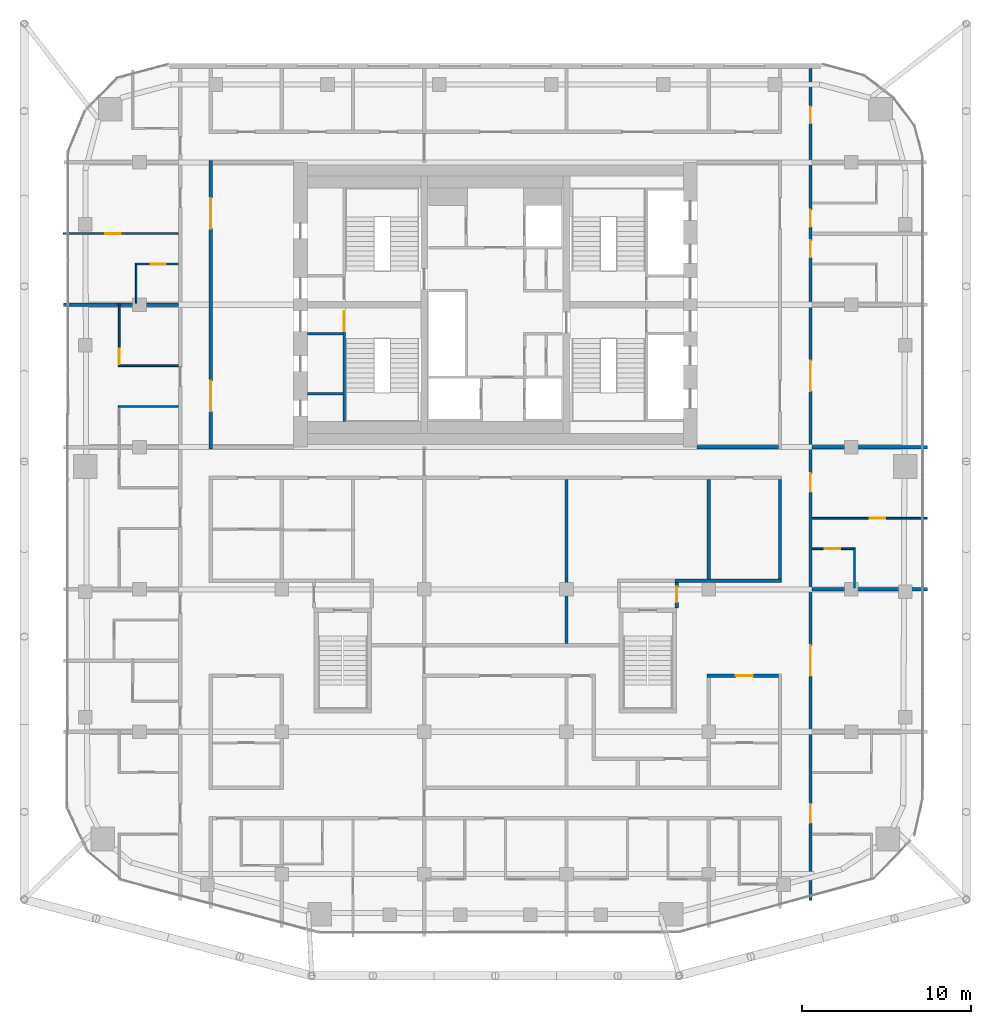
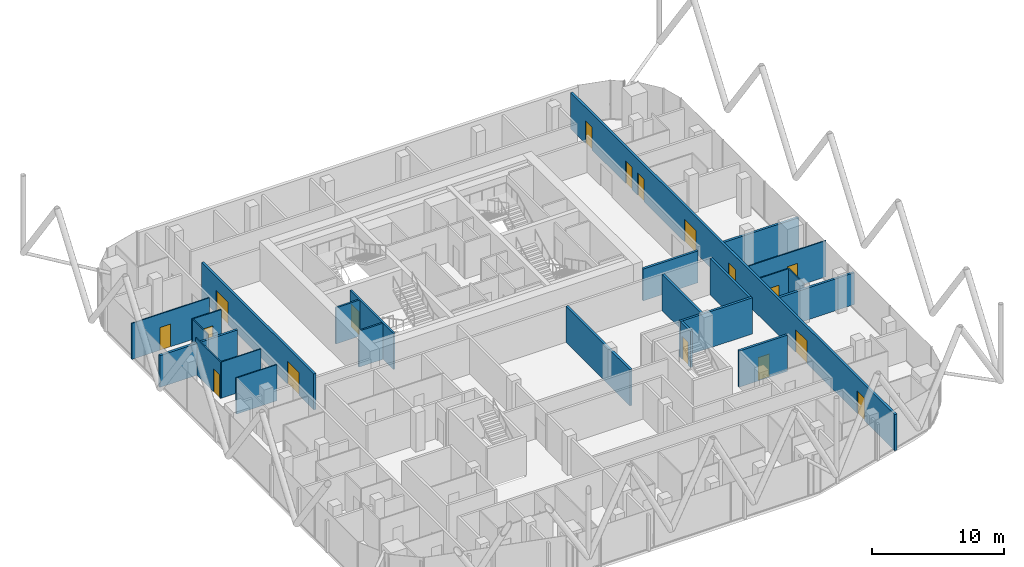
# One storey, part 23 of 28: 24 walls, 17 doors, 17 openings.
"""IFC4 building model written with IfcOpenShell, lengths in metres."""

from ifc_helpers import new_model, si_unit, direction, frame, frame_2d, origin, place, context, subcontext, project, spatial, rectangle, extrude, material, layer, layer_set, type_object, element, fill, save


model = new_model("IFC4")

# Units and contexts
model_context = context("Model", 3, precision=1e-05, world=origin(), true_north=direction((0.0, 1.0)))
body_context = subcontext(model_context, "Body", "Model", "MODEL_VIEW")
ifc_project = project(units=[si_unit("LENGTHUNIT", "METRE"), si_unit("AREAUNIT", "SQUARE_METRE"), si_unit("VOLUMEUNIT", "CUBIC_METRE"), si_unit("PLANEANGLEUNIT", "RADIAN"), si_unit("MASSUNIT", "GRAM", prefix="KILO")], contexts=[model_context])

# Site, building, storey
site_placement = place(None, origin())
site = spatial("IfcSite", under=ifc_project, at=site_placement, CompositionType="ELEMENT")
building_placement = place(site_placement, origin())
building = spatial("IfcBuilding", under=site, at=building_placement, Name="Marenta Gate Hotel Tower", CompositionType="ELEMENT")
storey_placement = place(building_placement, frame((0.0, 0.0, 198.5)))
storey = spatial("IfcBuildingStorey", under=building, at=storey_placement, Name="L45", CompositionType="ELEMENT", Elevation=198.5)

# Wall, openings, doors
ifc_material_1 = material(Name="Concrete blockwork", Category="masonry")
ifc_layer_1 = layer(ifc_material_1, 0.199951171875)
ifc_layer_set_1 = layer_set([ifc_layer_1], Name="Concrete blockwork")
wall_type_1 = type_object("IfcWallType", Name="Core boundary wall 200 REI 180", PredefinedType="PARTITIONING", material=ifc_layer_set_1)
wall_1_placement = place(storey_placement, frame((-16.800048828125, -0.10009765625, 0.0), z_axis=(0.0, 0.0, 1.0), x_axis=(0.0, 1.0, 0.0)))
wall_1 = element("IfcWall", 1, at=wall_1_placement, inside=storey, type_object=wall_type_1, Name="L45-CP-BW-W", PredefinedType="PARTITIONING", context=body_context, shape_type="SweptSolid", body=[
    extrude(rectangle(XDim=17.0, YDim=0.199951171875, at=frame_2d((8.5, 0.0))), origin(), (0.0, 0.0, 1.0), 3.340087890625),
])
opening_1_placement = place(wall_1_placement, frame((2.199951171875, 0.0, 0.0)))
opening_1 = element("IfcOpeningElement", 2, at=opening_1_placement, cuts=wall_1, Name="Opening ED-Wa-B", PredefinedType="OPENING", context=body_context, shape_type="SweptSolid", body=[
    extrude(rectangle(XDim=1.800048828125, YDim=2.10009765625, at=frame_2d((0.89990234375, 1.050048828125))), frame((0.0, 0.10009765625, 0.0), z_axis=(0.0, -1.0, 0.0), x_axis=(1.0, 0.0, 0.0)), (0.0, 0.0, 1.0), 0.199951171875),
])
opening_2_placement = place(wall_1_placement, frame((13.0, 0.0, 0.0)))
opening_2 = element("IfcOpeningElement", 3, at=opening_2_placement, cuts=wall_1, Name="Opening ED-Wb-B", PredefinedType="OPENING", context=body_context, shape_type="SweptSolid", body=[
    extrude(rectangle(XDim=1.800048828125, YDim=2.10009765625, at=frame_2d((0.89990234375, 1.050048828125))), frame((0.0, 0.10009765625, 0.0), z_axis=(0.0, -1.0, 0.0), x_axis=(1.0, 0.0, 0.0)), (0.0, 0.0, 1.0), 0.199951171875),
])
ifc_material_2 = material(Name="Steel", Category="steel")
door_type_1 = type_object("IfcDoorType", Name="Core lobby entrance door 1800x2100 EI 60", OperationType="DOUBLE_DOOR_SINGLE_SWING", PredefinedType="DOOR", material=ifc_material_2)
door_1_placement = place(opening_1_placement, origin())
door_1 = element("IfcDoor", 4, at=door_1_placement, inside=storey, type_object=door_type_1, Name="ED-Wa-B", OperationType="DOUBLE_DOOR_SINGLE_SWING", OverallHeight=2.10009765625, OverallWidth=1.800048828125, PredefinedType="DOOR", context=body_context, shape_type="SweptSolid", body=[
    extrude(rectangle(XDim=1.800048828125, YDim=2.10009765625, at=frame_2d((0.89990234375, 1.050048828125))), frame((0.0, 0.02490234375, 0.0), z_axis=(0.0, -1.0, 0.0), x_axis=(1.0, 0.0, 0.0)), (0.0, 0.0, 1.0), 0.050048828125),
])
fill(opening_1, door_1)
door_2_placement = place(opening_2_placement, origin())
door_2 = element("IfcDoor", 5, at=door_2_placement, inside=storey, type_object=door_type_1, Name="ED-Wb-B", OperationType="DOUBLE_DOOR_SINGLE_SWING", OverallHeight=2.10009765625, OverallWidth=1.800048828125, PredefinedType="DOOR", context=body_context, shape_type="SweptSolid", body=[
    extrude(rectangle(XDim=1.800048828125, YDim=2.10009765625, at=frame_2d((0.89990234375, 1.050048828125))), frame((0.0, 0.02490234375, 0.0), z_axis=(0.0, -1.0, 0.0), x_axis=(1.0, 0.0, 0.0)), (0.0, 0.0, 1.0), 0.050048828125),
])
fill(opening_2, door_2)

# Walls
wall_2_placement = place(storey_placement, frame((11.89990234375, 0.0, 0.0), z_axis=(0.0, 0.0, 1.0), x_axis=(1.0, 0.0, 0.0)))
element("IfcWall", 6, at=wall_2_placement, inside=storey, type_object=wall_type_1, Name="L45-CP-EW-ES", PredefinedType="PARTITIONING", context=body_context, shape_type="SweptSolid", body=[
    extrude(rectangle(XDim=4.800048828125, YDim=0.199951171875, at=frame_2d((2.39990234375, 0.0))), origin(), (0.0, 0.0, 1.0), 2.93994140625),
])
ifc_material_3 = material(Name="Concrete blockwork", Category="masonry")
ifc_layer_2 = layer(ifc_material_3, 0.14990234375)
ifc_layer_set_2 = layer_set([ifc_layer_2], Name="Concrete blockwork")
wall_type_2 = type_object("IfcWallType", Name="Core room partition 150 REI 180", PredefinedType="PARTITIONING", material=ifc_layer_set_2)
for number, where, z_axis, x_axis, name in (
    (7, (-11.10009765625, 6.675048828125, 0.0), (0.0, 0.0, 1.0), (1.0, 0.0, 0.0), "L45-CP-SW-WS-2"),
    (8, (-11.10009765625, 3.14990234375, 0.0), (0.0, 0.0, 1.0), (1.0, 0.0, 0.0), "L45-CP-RW-WS-1"),
):
    element("IfcWall", number, at=place(storey_placement, frame(where, z_axis=z_axis, x_axis=x_axis)), inside=storey, type_object=wall_type_2, Name=name, PredefinedType="PARTITIONING", context=body_context, shape_type="SweptSolid", body=[
        extrude(rectangle(XDim=2.10009765625, YDim=0.14990234375, at=frame_2d((1.050048828125, 0.0))), origin(), (0.0, 0.0, 1.0), 3.340087890625),
    ])

# Wall, opening, door
ifc_material_4 = material(Name="Concrete C40", Category="concrete")
ifc_layer_3 = layer(ifc_material_4, 0.14990234375)
ifc_layer_set_3 = layer_set([ifc_layer_3], Name="Concrete C40")
wall_type_3 = type_object("IfcWallType", Name="Core stair enclosure wall 150 REI 180", PredefinedType="SHEAR", material=ifc_layer_set_3)
wall_3_placement = place(storey_placement, frame((-8.925048828125, 1.5, 0.0), z_axis=(0.0, 0.0, 1.0), x_axis=(0.0, 1.0, 0.0)))
wall_3 = element("IfcWall", 9, at=wall_3_placement, inside=storey, type_object=wall_type_3, Name="L45-SHF-SW-WS-3", PredefinedType="SHEAR", context=body_context, shape_type="SweptSolid", body=[
    extrude(rectangle(XDim=6.60009765625, YDim=0.14990234375, at=frame_2d((3.300048828125, 0.0))), origin(), (0.0, 0.0, 1.0), 3.340087890625),
])
opening_3_placement = place(wall_3_placement, frame((5.324951171875, 0.0, 0.0)))
opening_3 = element("IfcOpeningElement", 10, at=opening_3_placement, cuts=wall_3, Name="Opening SD-WS", PredefinedType="OPENING", context=body_context, shape_type="SweptSolid", body=[
    extrude(rectangle(XDim=1.199951171875, YDim=2.10009765625, at=frame_2d((0.60009765625, 1.050048828125))), frame((0.0, 0.074951171875, 0.0), z_axis=(0.0, -1.0, 0.0), x_axis=(1.0, 0.0, 0.0)), (0.0, 0.0, 1.0), 0.14990234375),
])
ifc_material_5 = material(Name="Steel", Category="steel")
door_type_2 = type_object("IfcDoorType", Name="Core stair door 1200x2100 FD60", OperationType="SINGLE_SWING_LEFT", PredefinedType="DOOR", material=ifc_material_5)
door_3_placement = place(opening_3_placement, origin())
door_3 = element("IfcDoor", 11, at=door_3_placement, inside=storey, type_object=door_type_2, Name="SD-WS", OperationType="SINGLE_SWING_LEFT", OverallHeight=2.10009765625, OverallWidth=1.199951171875, PredefinedType="DOOR", context=body_context, shape_type="SweptSolid", body=[
    extrude(rectangle(XDim=1.199951171875, YDim=2.10009765625, at=frame_2d((0.60009765625, 1.050048828125))), frame((0.0, 0.02490234375, 0.0), z_axis=(0.0, -1.0, 0.0), x_axis=(1.0, 0.0, 0.0)), (0.0, 0.0, 1.0), 0.050048828125),
])
fill(opening_3, door_3)

ifc_material_6 = material(Name="Concrete blockwork", Category="masonry")
ifc_layer_4 = layer(ifc_material_6, 0.199951171875)
ifc_layer_set_4 = layer_set([ifc_layer_4], Name="Concrete blockwork")
wall_type_4 = type_object("IfcWallType", Name="Room corridor wall 200 EI 120", PredefinedType="PARTITIONING", material=ifc_layer_set_4)
wall_4_placement = place(storey_placement, frame((12.5, -13.5, 0.0), z_axis=(0.0, 0.0, 1.0), x_axis=(1.0, 0.0, 0.0)))
wall_4 = element("IfcWall", 12, at=wall_4_placement, inside=storey, type_object=wall_type_4, Name="L45-PTN-W033", PredefinedType="PARTITIONING", context=body_context, shape_type="SweptSolid", body=[
    extrude(rectangle(XDim=4.199951171875, YDim=0.199951171875, at=frame_2d((2.10009765625, 0.0))), origin(), (0.0, 0.0, 1.0), 3.340087890625),
])
opening_4_placement = place(wall_4_placement, frame((1.699951171875, 0.0, 0.0)))
opening_4 = element("IfcOpeningElement", 13, at=opening_4_placement, cuts=wall_4, Name="Opening G16-14", PredefinedType="OPENING", context=body_context, shape_type="SweptSolid", body=[
    extrude(rectangle(XDim=1.0, YDim=2.10009765625, at=frame_2d((0.5, 1.050048828125))), frame((0.0, 0.10009765625, 0.0), z_axis=(0.0, -1.0, 0.0), x_axis=(1.0, 0.0, 0.0)), (0.0, 0.0, 1.0), 0.199951171875),
])
ifc_material_7 = material(Name="Hollow steel door set", Category="steel")
door_type_3 = type_object("IfcDoorType", Name="Room service door 1000x2100 EI 60", OperationType="NOTDEFINED", PredefinedType="DOOR", material=ifc_material_7)
door_4_placement = place(opening_4_placement, origin())
door_4 = element("IfcDoor", 14, at=door_4_placement, inside=storey, type_object=door_type_3, Name="L45-PD-D014", OperationType="SINGLE_SWING_RIGHT", OverallHeight=2.10009765625, OverallWidth=1.0, PredefinedType="DOOR", context=body_context, shape_type="SweptSolid", body=[
    extrude(rectangle(XDim=1.0, YDim=2.10009765625, at=frame_2d((0.5, 1.050048828125))), frame((0.0, 0.02490234375, 0.0), z_axis=(0.0, -1.0, 0.0), x_axis=(1.0, 0.0, 0.0)), (0.0, 0.0, 1.0), 0.050048828125),
])
fill(opening_4, door_4)

# Wall, openings, doors
ifc_material_8 = material(Name="Gypsum board on steel stud", Category="steel")
ifc_layer_5 = layer(ifc_material_8, 0.199951171875)
ifc_layer_set_5 = layer_set([ifc_layer_5], Name="Gypsum board on steel stud")
wall_type_5 = type_object("IfcWallType", Name="Room corridor wall 200 EI 60", PredefinedType="PARTITIONING", material=ifc_layer_set_5)
wall_5_placement = place(storey_placement, frame((18.60009765625, -26.7509765625, 0.0), z_axis=(0.0, 0.0, 1.0), x_axis=(0.0, 1.0, 0.0)))
wall_5 = element("IfcWall", 15, at=wall_5_placement, inside=storey, type_object=wall_type_5, Name="L45-PTN-W019", PredefinedType="PARTITIONING", context=body_context, shape_type="SweptSolid", body=[
    extrude(rectangle(XDim=49.091064453125, YDim=0.199951171875, at=frame_2d((24.54541015625, 0.0))), origin(), (0.0, 0.0, 1.0), 3.340087890625),
])
opening_5_placement = place(wall_5_placement, frame((4.575927734375, 0.0, 0.0)))
opening_5 = element("IfcOpeningElement", 16, at=opening_5_placement, cuts=wall_5, Name="Opening G16-16", PredefinedType="OPENING", context=body_context, shape_type="SweptSolid", body=[
    extrude(rectangle(XDim=1.10009765625, YDim=2.10009765625, at=frame_2d((0.550048828125, 1.050048828125))), frame((0.0, 0.10009765625, 0.0), z_axis=(0.0, -1.0, 0.0), x_axis=(1.0, 0.0, 0.0)), (0.0, 0.0, 1.0), 0.199951171875),
])
opening_6_placement = place(wall_5_placement, frame((13.2509765625, 0.0, 0.0)))
opening_6 = element("IfcOpeningElement", 17, at=opening_6_placement, cuts=wall_5, Name="Opening G16-19", PredefinedType="OPENING", context=body_context, shape_type="SweptSolid", body=[
    extrude(rectangle(XDim=1.800048828125, YDim=2.10009765625, at=frame_2d((0.89990234375, 1.050048828125))), frame((0.0, 0.10009765625, 0.0), z_axis=(0.0, -1.0, 0.0), x_axis=(1.0, 0.0, 0.0)), (0.0, 0.0, 1.0), 0.199951171875),
])
opening_7_placement = place(wall_5_placement, frame((24.10107421875, 0.0, 0.0)))
opening_7 = element("IfcOpeningElement", 18, at=opening_7_placement, cuts=wall_5, Name="Opening G16-20", PredefinedType="OPENING", context=body_context, shape_type="SweptSolid", body=[
    extrude(rectangle(XDim=1.10009765625, YDim=2.10009765625, at=frame_2d((0.550048828125, 1.050048828125))), frame((0.0, 0.10009765625, 0.0), z_axis=(0.0, -1.0, 0.0), x_axis=(1.0, 0.0, 0.0)), (0.0, 0.0, 1.0), 0.199951171875),
])
opening_8_placement = place(wall_5_placement, frame((30.051025390625, 0.0, 0.0)))
opening_8 = element("IfcOpeningElement", 19, at=opening_8_placement, cuts=wall_5, Name="Opening G16-23", PredefinedType="OPENING", context=body_context, shape_type="SweptSolid", body=[
    extrude(rectangle(XDim=1.800048828125, YDim=2.10009765625, at=frame_2d((0.89990234375, 1.050048828125))), frame((0.0, 0.10009765625, 0.0), z_axis=(0.0, -1.0, 0.0), x_axis=(1.0, 0.0, 0.0)), (0.0, 0.0, 1.0), 0.199951171875),
])
opening_9_placement = place(wall_5_placement, frame((37.950927734375, 0.0, 0.0)))
opening_9 = element("IfcOpeningElement", 20, at=opening_9_placement, cuts=wall_5, Name="Opening G16-24", PredefinedType="OPENING", context=body_context, shape_type="SweptSolid", body=[
    extrude(rectangle(XDim=1.0, YDim=2.10009765625, at=frame_2d((0.5, 1.050048828125))), frame((0.0, 0.10009765625, 0.0), z_axis=(0.0, -1.0, 0.0), x_axis=(1.0, 0.0, 0.0)), (0.0, 0.0, 1.0), 0.199951171875),
])
opening_10_placement = place(wall_5_placement, frame((39.7509765625, 0.0, 0.0)))
opening_10 = element("IfcOpeningElement", 21, at=opening_10_placement, cuts=wall_5, Name="Opening G16-26", PredefinedType="OPENING", context=body_context, shape_type="SweptSolid", body=[
    extrude(rectangle(XDim=1.0, YDim=2.10009765625, at=frame_2d((0.5, 1.050048828125))), frame((0.0, 0.10009765625, 0.0), z_axis=(0.0, -1.0, 0.0), x_axis=(1.0, 0.0, 0.0)), (0.0, 0.0, 1.0), 0.199951171875),
])
opening_11_placement = place(wall_5_placement, frame((45.85107421875, 0.0, 0.0)))
opening_11 = element("IfcOpeningElement", 22, at=opening_11_placement, cuts=wall_5, Name="Opening G16-28", PredefinedType="OPENING", context=body_context, shape_type="SweptSolid", body=[
    extrude(rectangle(XDim=1.0, YDim=2.10009765625, at=frame_2d((0.5, 1.050048828125))), frame((0.0, 0.10009765625, 0.0), z_axis=(0.0, -1.0, 0.0), x_axis=(1.0, 0.0, 0.0)), (0.0, 0.0, 1.0), 0.199951171875),
])
ifc_material_9 = material(Name="Timber door leaf", Category="wood")
door_type_4 = type_object("IfcDoorType", Name="Guest room door 1000x2100 EI 30", OperationType="NOTDEFINED", PredefinedType="DOOR", material=ifc_material_9)
door_5_placement = place(opening_9_placement, origin())
door_5 = element("IfcDoor", 23, at=door_5_placement, inside=storey, type_object=door_type_4, Name="L45-PD-D024", OperationType="SINGLE_SWING_RIGHT", OverallHeight=2.10009765625, OverallWidth=1.0, PredefinedType="DOOR", context=body_context, shape_type="SweptSolid", body=[
    extrude(rectangle(XDim=1.0, YDim=2.10009765625, at=frame_2d((0.5, 1.050048828125))), frame((0.0, 0.02490234375, 0.0), z_axis=(0.0, -1.0, 0.0), x_axis=(1.0, 0.0, 0.0)), (0.0, 0.0, 1.0), 0.050048828125),
])
fill(opening_9, door_5)
door_6_placement = place(opening_10_placement, origin())
door_6 = element("IfcDoor", 24, at=door_6_placement, inside=storey, type_object=door_type_4, Name="L45-PD-D026", OperationType="SINGLE_SWING_RIGHT", OverallHeight=2.10009765625, OverallWidth=1.0, PredefinedType="DOOR", context=body_context, shape_type="SweptSolid", body=[
    extrude(rectangle(XDim=1.0, YDim=2.10009765625, at=frame_2d((0.5, 1.050048828125))), frame((0.0, 0.02490234375, 0.0), z_axis=(0.0, -1.0, 0.0), x_axis=(1.0, 0.0, 0.0)), (0.0, 0.0, 1.0), 0.050048828125),
])
fill(opening_10, door_6)
ifc_material_10 = material(Name="Timber door leaf", Category="wood")
door_type_5 = type_object("IfcDoorType", Name="Guest room door 1100x2100 EI 30", OperationType="NOTDEFINED", PredefinedType="DOOR", material=ifc_material_10)
door_7_placement = place(opening_5_placement, origin())
door_7 = element("IfcDoor", 25, at=door_7_placement, inside=storey, type_object=door_type_5, Name="L45-PD-D016", OperationType="SINGLE_SWING_RIGHT", OverallHeight=2.10009765625, OverallWidth=1.10009765625, PredefinedType="DOOR", context=body_context, shape_type="SweptSolid", body=[
    extrude(rectangle(XDim=1.10009765625, YDim=2.10009765625, at=frame_2d((0.550048828125, 1.050048828125))), frame((0.0, 0.02490234375, 0.0), z_axis=(0.0, -1.0, 0.0), x_axis=(1.0, 0.0, 0.0)), (0.0, 0.0, 1.0), 0.050048828125),
])
fill(opening_5, door_7)
door_8_placement = place(opening_7_placement, origin())
door_8 = element("IfcDoor", 26, at=door_8_placement, inside=storey, type_object=door_type_5, Name="L45-PD-D020", OperationType="SINGLE_SWING_RIGHT", OverallHeight=2.10009765625, OverallWidth=1.10009765625, PredefinedType="DOOR", context=body_context, shape_type="SweptSolid", body=[
    extrude(rectangle(XDim=1.10009765625, YDim=2.10009765625, at=frame_2d((0.550048828125, 1.050048828125))), frame((0.0, 0.02490234375, 0.0), z_axis=(0.0, -1.0, 0.0), x_axis=(1.0, 0.0, 0.0)), (0.0, 0.0, 1.0), 0.050048828125),
])
fill(opening_7, door_8)
ifc_material_11 = material(Name="Timber door leaf", Category="wood")
door_type_6 = type_object("IfcDoorType", Name="Room amenity door 1000x2100 EI 30", OperationType="NOTDEFINED", PredefinedType="DOOR", material=ifc_material_11)
door_9_placement = place(opening_11_placement, origin())
door_9 = element("IfcDoor", 27, at=door_9_placement, inside=storey, type_object=door_type_6, Name="L45-PD-D028", OperationType="SINGLE_SWING_LEFT", OverallHeight=2.10009765625, OverallWidth=1.0, PredefinedType="DOOR", context=body_context, shape_type="SweptSolid", body=[
    extrude(rectangle(XDim=1.0, YDim=2.10009765625, at=frame_2d((0.5, 1.050048828125))), frame((0.0, 0.02490234375, 0.0), z_axis=(0.0, -1.0, 0.0), x_axis=(1.0, 0.0, 0.0)), (0.0, 0.0, 1.0), 0.050048828125),
])
fill(opening_11, door_9)
ifc_material_12 = material(Name="Timber door leaf", Category="wood")
door_type_7 = type_object("IfcDoorType", Name="Room amenity door 1800x2100 EI 30", OperationType="DOUBLE_DOOR_SINGLE_SWING", PredefinedType="DOOR", material=ifc_material_12)
door_10_placement = place(opening_6_placement, origin())
door_10 = element("IfcDoor", 28, at=door_10_placement, inside=storey, type_object=door_type_7, Name="L45-PD-D019", OperationType="DOUBLE_DOOR_SINGLE_SWING", OverallHeight=2.10009765625, OverallWidth=1.800048828125, PredefinedType="DOOR", context=body_context, shape_type="SweptSolid", body=[
    extrude(rectangle(XDim=1.800048828125, YDim=2.10009765625, at=frame_2d((0.89990234375, 1.050048828125))), frame((0.0, 0.02490234375, 0.0), z_axis=(0.0, -1.0, 0.0), x_axis=(1.0, 0.0, 0.0)), (0.0, 0.0, 1.0), 0.050048828125),
])
fill(opening_6, door_10)
door_11_placement = place(opening_8_placement, origin())
door_11 = element("IfcDoor", 29, at=door_11_placement, inside=storey, type_object=door_type_7, Name="L45-PD-D023", OperationType="DOUBLE_DOOR_SINGLE_SWING", OverallHeight=2.10009765625, OverallWidth=1.800048828125, PredefinedType="DOOR", context=body_context, shape_type="SweptSolid", body=[
    extrude(rectangle(XDim=1.800048828125, YDim=2.10009765625, at=frame_2d((0.89990234375, 1.050048828125))), frame((0.0, 0.02490234375, 0.0), z_axis=(0.0, -1.0, 0.0), x_axis=(1.0, 0.0, 0.0)), (0.0, 0.0, 1.0), 0.050048828125),
])
fill(opening_8, door_11)

# Walls
wall_6_placement = place(storey_placement, frame((16.800048828125, -7.800048828125, 0.0), z_axis=(0.0, 0.0, 1.0), x_axis=(0.0, 1.0, 0.0)))
element("IfcWall", 30, at=wall_6_placement, inside=storey, type_object=wall_type_5, Name="L45-PTN-W025", PredefinedType="PARTITIONING", context=body_context, shape_type="SweptSolid", body=[
    extrude(rectangle(XDim=5.900146484375, YDim=0.199951171875, at=frame_2d((2.9501953125, 0.0))), origin(), (0.0, 0.0, 1.0), 3.340087890625),
])
wall_7_placement = place(storey_placement, frame((10.60009765625, -7.89990234375, 0.0), z_axis=(0.0, 0.0, 1.0), x_axis=(1.0, 0.0, 0.0)))
element("IfcWall", 31, at=wall_7_placement, inside=storey, type_object=wall_type_5, Name="L45-PTN-W048", PredefinedType="PARTITIONING", context=body_context, shape_type="SweptSolid", body=[
    extrude(rectangle(XDim=6.2998046875, YDim=0.199951171875, at=frame_2d((3.14990234375, 0.0))), origin(), (0.0, 0.0, 1.0), 3.340087890625),
])

# Wall, opening, door
ifc_material_13 = material(Name="Concrete blockwork", Category="masonry")
ifc_layer_6 = layer(ifc_material_13, 0.199951171875)
ifc_layer_set_6 = layer_set([ifc_layer_6], Name="Concrete blockwork")
wall_type_6 = type_object("IfcWallType", Name="Room corridor wall 200 REI 180", PredefinedType="PARTITIONING", material=ifc_layer_set_6)
wall_8_placement = place(storey_placement, frame((10.699951171875, -9.5, 0.0), z_axis=(0.0, 0.0, 1.0), x_axis=(0.0, 1.0, 0.0)))
wall_8 = element("IfcWall", 32, at=wall_8_placement, inside=storey, type_object=wall_type_6, Name="L45-PTN-W041", PredefinedType="PARTITIONING", context=body_context, shape_type="SweptSolid", body=[
    extrude(rectangle(XDim=1.5, YDim=0.199951171875, at=frame_2d((0.75, 0.0))), origin(), (0.0, 0.0, 1.0), 3.340087890625),
])
opening_12_placement = place(wall_8_placement, frame((0.35009765625, 0.0, 0.0)))
opening_12 = element("IfcOpeningElement", 33, at=opening_12_placement, cuts=wall_8, Name="Opening G16-65", PredefinedType="OPENING", context=body_context, shape_type="SweptSolid", body=[
    extrude(rectangle(XDim=0.89990234375, YDim=2.10009765625, at=frame_2d((0.449951171875, 1.050048828125))), frame((0.0, 0.10009765625, 0.0), z_axis=(0.0, -1.0, 0.0), x_axis=(1.0, 0.0, 0.0)), (0.0, 0.0, 1.0), 0.199951171875),
])
ifc_material_14 = material(Name="Hollow steel door set", Category="steel")
door_type_8 = type_object("IfcDoorType", Name="Stair vestibule door 900x2100 EI 60", OperationType="NOTDEFINED", PredefinedType="DOOR", material=ifc_material_14)
door_12_placement = place(opening_12_placement, origin())
door_12 = element("IfcDoor", 34, at=door_12_placement, inside=storey, type_object=door_type_8, Name="L45-PD-D065", OperationType="SINGLE_SWING_RIGHT", OverallHeight=2.10009765625, OverallWidth=0.89990234375, PredefinedType="DOOR", context=body_context, shape_type="SweptSolid", body=[
    extrude(rectangle(XDim=0.89990234375, YDim=2.10009765625, at=frame_2d((0.449951171875, 1.050048828125))), frame((0.0, 0.02490234375, 0.0), z_axis=(0.0, -1.0, 0.0), x_axis=(1.0, 0.0, 0.0)), (0.0, 0.0, 1.0), 0.050048828125),
])
fill(opening_12, door_12)

# Wall
ifc_material_15 = material(Name="Gypsum board on steel stud", Category="steel")
ifc_layer_7 = layer(ifc_material_15, 0.10009765625)
ifc_layer_set_7 = layer_set([ifc_layer_7], Name="Gypsum board on steel stud")
wall_type_7 = type_object("IfcWallType", Name="Room partition 100", PredefinedType="PARTITIONING", material=ifc_layer_set_7)
wall_9_placement = place(storey_placement, frame((21.199951171875, -8.300048828125, 0.0), z_axis=(0.0, 0.0, 1.0), x_axis=(0.0, 1.0, 0.0)))
element("IfcWall", 35, at=wall_9_placement, inside=storey, type_object=wall_type_7, Name="L45-PTN-W014", PredefinedType="PARTITIONING", context=body_context, shape_type="SweptSolid", body=[
    extrude(rectangle(XDim=2.35009765625, YDim=0.10009765625, at=frame_2d((1.175048828125, 0.0))), origin(), (0.0, 0.0, 1.0), 3.340087890625),
])

# Wall, opening, door
wall_10_placement = place(storey_placement, frame((18.699951171875, -6.0, 0.0), z_axis=(0.0, 0.0, 1.0), x_axis=(1.0, 0.0, 0.0)))
wall_10 = element("IfcWall", 36, at=wall_10_placement, inside=storey, type_object=wall_type_7, Name="L45-PTN-W053", PredefinedType="PARTITIONING", context=body_context, shape_type="SweptSolid", body=[
    extrude(rectangle(XDim=2.449951171875, YDim=0.10009765625, at=frame_2d((1.22509765625, 0.0))), origin(), (0.0, 0.0, 1.0), 3.340087890625),
])
opening_13_placement = place(wall_10_placement, frame((0.75, 0.0, 0.0)))
opening_13 = element("IfcOpeningElement", 37, at=opening_13_placement, cuts=wall_10, Name="Opening G16-22", PredefinedType="OPENING", context=body_context, shape_type="SweptSolid", body=[
    extrude(rectangle(XDim=0.89990234375, YDim=2.10009765625, at=frame_2d((0.449951171875, 1.050048828125))), frame((0.0, 0.050048828125, 0.0), z_axis=(0.0, -1.0, 0.0), x_axis=(1.0, 0.0, 0.0)), (0.0, 0.0, 1.0), 0.10009765625),
])
ifc_material_16 = material(Name="Timber door leaf", Category="wood")
door_type_9 = type_object("IfcDoorType", Name="Guest bathroom door 900x2100", OperationType="NOTDEFINED", PredefinedType="DOOR", material=ifc_material_16)
door_13_placement = place(opening_13_placement, origin())
door_13 = element("IfcDoor", 38, at=door_13_placement, inside=storey, type_object=door_type_9, Name="L45-PD-D022", OperationType="SINGLE_SWING_RIGHT", OverallHeight=2.10009765625, OverallWidth=0.89990234375, PredefinedType="DOOR", context=body_context, shape_type="SweptSolid", body=[
    extrude(rectangle(XDim=0.89990234375, YDim=2.10009765625, at=frame_2d((0.449951171875, 1.050048828125))), frame((0.0, 0.02490234375, 0.0), z_axis=(0.0, -1.0, 0.0), x_axis=(1.0, 0.0, 0.0)), (0.0, 0.0, 1.0), 0.050048828125),
])
fill(opening_13, door_13)

wall_11_placement = place(storey_placement, frame((18.699951171875, -4.199951171875, 0.0), z_axis=(0.0, 0.0, 1.0), x_axis=(1.0, 0.0, 0.0)))
wall_11 = element("IfcWall", 39, at=wall_11_placement, inside=storey, type_object=wall_type_7, Name="L45-PTN-W062", PredefinedType="PARTITIONING", context=body_context, shape_type="SweptSolid", body=[
    extrude(rectangle(XDim=6.800048828125, YDim=0.10009765625, at=frame_2d((3.39990234375, 0.0))), origin(), (0.0, 0.0, 1.0), 3.340087890625),
])
opening_14_placement = place(wall_11_placement, frame((3.409912109375, 0.0, 0.0)))
opening_14 = element("IfcOpeningElement", 40, at=opening_14_placement, cuts=wall_11, Name="Opening G16-21", PredefinedType="OPENING", context=body_context, shape_type="SweptSolid", body=[
    extrude(rectangle(XDim=0.89990234375, YDim=2.10009765625, at=frame_2d((0.449951171875, 1.050048828125))), frame((0.0, 0.050048828125, 0.0), z_axis=(0.0, -1.0, 0.0), x_axis=(1.0, 0.0, 0.0)), (0.0, 0.0, 1.0), 0.10009765625),
])
ifc_material_17 = material(Name="Timber door leaf", Category="wood")
door_type_10 = type_object("IfcDoorType", Name="Room inner door 900x2100", OperationType="NOTDEFINED", PredefinedType="DOOR", material=ifc_material_17)
door_14_placement = place(opening_14_placement, origin())
door_14 = element("IfcDoor", 41, at=door_14_placement, inside=storey, type_object=door_type_10, Name="L45-PD-D021", OperationType="SINGLE_SWING_RIGHT", OverallHeight=2.10009765625, OverallWidth=0.89990234375, PredefinedType="DOOR", context=body_context, shape_type="SweptSolid", body=[
    extrude(rectangle(XDim=0.89990234375, YDim=2.10009765625, at=frame_2d((0.449951171875, 1.050048828125))), frame((0.0, 0.02490234375, 0.0), z_axis=(0.0, -1.0, 0.0), x_axis=(1.0, 0.0, 0.0)), (0.0, 0.0, 1.0), 0.050048828125),
])
fill(opening_14, door_14)

# Walls
wall_12_placement = place(storey_placement, frame((-22.25, 2.39990234375, 0.0), z_axis=(0.0, 0.0, 1.0), x_axis=(1.0, 0.0, 0.0)))
element("IfcWall", 42, at=wall_12_placement, inside=storey, type_object=wall_type_7, Name="L45-PTN-W069", PredefinedType="PARTITIONING", context=body_context, shape_type="SweptSolid", body=[
    extrude(rectangle(XDim=3.550048828125, YDim=0.10009765625, at=frame_2d((1.77490234375, 0.0))), origin(), (0.0, 0.0, 1.0), 3.340087890625),
])
wall_13_placement = place(storey_placement, frame((-22.14990234375, 4.800048828125, 0.0), z_axis=(0.0, 0.0, 1.0), x_axis=(1.0, 0.0, 0.0)))
element("IfcWall", 43, at=wall_13_placement, inside=storey, type_object=wall_type_7, Name="L45-PTN-W074", PredefinedType="PARTITIONING", context=body_context, shape_type="SweptSolid", body=[
    extrude(rectangle(XDim=3.449951171875, YDim=0.10009765625, at=frame_2d((1.72509765625, 0.0))), origin(), (0.0, 0.0, 1.0), 3.340087890625),
])

# Wall, opening, door
wall_14_placement = place(storey_placement, frame((-21.25, 10.800048828125, 0.0), z_axis=(0.0, 0.0, 1.0), x_axis=(1.0, 0.0, 0.0)))
wall_14 = element("IfcWall", 44, at=wall_14_placement, inside=storey, type_object=wall_type_7, Name="L45-PTN-W083", PredefinedType="PARTITIONING", context=body_context, shape_type="SweptSolid", body=[
    extrude(rectangle(XDim=2.550048828125, YDim=0.10009765625, at=frame_2d((1.27490234375, 0.0))), origin(), (0.0, 0.0, 1.0), 3.340087890625),
])
opening_15_placement = place(wall_14_placement, frame((0.89990234375, 0.0, 0.0)))
opening_15 = element("IfcOpeningElement", 45, at=opening_15_placement, cuts=wall_14, Name="Opening G16-61", PredefinedType="OPENING", context=body_context, shape_type="SweptSolid", body=[
    extrude(rectangle(XDim=0.89990234375, YDim=2.10009765625, at=frame_2d((0.449951171875, 1.050048828125))), frame((0.0, 0.050048828125, 0.0), z_axis=(0.0, -1.0, 0.0), x_axis=(1.0, 0.0, 0.0)), (0.0, 0.0, 1.0), 0.10009765625),
])
door_15_placement = place(opening_15_placement, origin())
door_15 = element("IfcDoor", 46, at=door_15_placement, inside=storey, type_object=door_type_9, Name="L45-PD-D061", OperationType="SINGLE_SWING_LEFT", OverallHeight=2.10009765625, OverallWidth=0.89990234375, PredefinedType="DOOR", context=body_context, shape_type="SweptSolid", body=[
    extrude(rectangle(XDim=0.89990234375, YDim=2.10009765625, at=frame_2d((0.449951171875, 1.050048828125))), frame((0.0, 0.02490234375, 0.0), z_axis=(0.0, -1.0, 0.0), x_axis=(1.0, 0.0, 0.0)), (0.0, 0.0, 1.0), 0.050048828125),
])
fill(opening_15, door_15)

wall_15_placement = place(storey_placement, frame((-25.5, 12.60009765625, 0.0), z_axis=(0.0, 0.0, 1.0), x_axis=(1.0, 0.0, 0.0)))
wall_15 = element("IfcWall", 47, at=wall_15_placement, inside=storey, type_object=wall_type_7, Name="L45-PTN-W089", PredefinedType="PARTITIONING", context=body_context, shape_type="SweptSolid", body=[
    extrude(rectangle(XDim=6.800048828125, YDim=0.10009765625, at=frame_2d((3.39990234375, 0.0))), origin(), (0.0, 0.0, 1.0), 3.340087890625),
])
opening_16_placement = place(wall_15_placement, frame((2.489990234375, 0.0, 0.0)))
opening_16 = element("IfcOpeningElement", 48, at=opening_16_placement, cuts=wall_15, Name="Opening G16-60", PredefinedType="OPENING", context=body_context, shape_type="SweptSolid", body=[
    extrude(rectangle(XDim=0.89990234375, YDim=2.10009765625, at=frame_2d((0.449951171875, 1.050048828125))), frame((0.0, 0.050048828125, 0.0), z_axis=(0.0, -1.0, 0.0), x_axis=(1.0, 0.0, 0.0)), (0.0, 0.0, 1.0), 0.10009765625),
])
door_16_placement = place(opening_16_placement, origin())
door_16 = element("IfcDoor", 49, at=door_16_placement, inside=storey, type_object=door_type_10, Name="L45-PD-D060", OperationType="SINGLE_SWING_RIGHT", OverallHeight=2.10009765625, OverallWidth=0.89990234375, PredefinedType="DOOR", context=body_context, shape_type="SweptSolid", body=[
    extrude(rectangle(XDim=0.89990234375, YDim=2.10009765625, at=frame_2d((0.449951171875, 1.050048828125))), frame((0.0, 0.02490234375, 0.0), z_axis=(0.0, -1.0, 0.0), x_axis=(1.0, 0.0, 0.0)), (0.0, 0.0, 1.0), 0.050048828125),
])
fill(opening_16, door_16)

# Wall
wall_16_placement = place(storey_placement, frame((-21.199951171875, 8.5, 0.0), z_axis=(0.0, 0.0, 1.0), x_axis=(0.0, 1.0, 0.0)))
element("IfcWall", 50, at=wall_16_placement, inside=storey, type_object=wall_type_7, Name="L45-PTN-W102", PredefinedType="PARTITIONING", context=body_context, shape_type="SweptSolid", body=[
    extrude(rectangle(XDim=2.25, YDim=0.10009765625, at=frame_2d((1.125, 0.0))), origin(), (0.0, 0.0, 1.0), 3.340087890625),
])

# Wall, opening, door
wall_17_placement = place(storey_placement, frame((-22.199951171875, 4.75, 0.0), z_axis=(0.0, 0.0, 1.0), x_axis=(0.0, 1.0, 0.0)))
wall_17 = element("IfcWall", 51, at=wall_17_placement, inside=storey, type_object=wall_type_7, Name="L45-PTN-W109", PredefinedType="PARTITIONING", context=body_context, shape_type="SweptSolid", body=[
    extrude(rectangle(XDim=3.75, YDim=0.10009765625, at=frame_2d((1.875, 0.0))), origin(), (0.0, 0.0, 1.0), 3.340087890625),
])
opening_17_placement = place(wall_17_placement, frame((0.14990234375, 0.0, 0.0)))
opening_17 = element("IfcOpeningElement", 52, at=opening_17_placement, cuts=wall_17, Name="Opening G16-57", PredefinedType="OPENING", context=body_context, shape_type="SweptSolid", body=[
    extrude(rectangle(XDim=0.89990234375, YDim=2.10009765625, at=frame_2d((0.449951171875, 1.050048828125))), frame((0.0, 0.050048828125, 0.0), z_axis=(0.0, -1.0, 0.0), x_axis=(1.0, 0.0, 0.0)), (0.0, 0.0, 1.0), 0.10009765625),
])
door_17_placement = place(opening_17_placement, origin())
door_17 = element("IfcDoor", 53, at=door_17_placement, inside=storey, type_object=door_type_9, Name="L45-PD-D057", OperationType="SINGLE_SWING_RIGHT", OverallHeight=2.10009765625, OverallWidth=0.89990234375, PredefinedType="DOOR", context=body_context, shape_type="SweptSolid", body=[
    extrude(rectangle(XDim=0.89990234375, YDim=2.10009765625, at=frame_2d((0.449951171875, 1.050048828125))), frame((0.0, 0.02490234375, 0.0), z_axis=(0.0, -1.0, 0.0), x_axis=(1.0, 0.0, 0.0)), (0.0, 0.0, 1.0), 0.050048828125),
])
fill(opening_17, door_17)

# Walls
ifc_material_18 = material(Name="Gypsum board on steel stud", Category="steel")
ifc_layer_8 = layer(ifc_material_18, 0.199951171875)
ifc_layer_set_8 = layer_set([ifc_layer_8], Name="Gypsum board on steel stud")
wall_type_8 = type_object("IfcWallType", Name="Room party wall 200 EI 60", PredefinedType="PARTITIONING", material=ifc_layer_set_8)
wall_18_placement = place(storey_placement, frame((12.60009765625, -7.800048828125, 0.0), z_axis=(0.0, 0.0, 1.0), x_axis=(0.0, 1.0, 0.0)))
element("IfcWall", 54, at=wall_18_placement, inside=storey, type_object=wall_type_8, Name="L45-PTN-W036", PredefinedType="PARTITIONING", context=body_context, shape_type="SweptSolid", body=[
    extrude(rectangle(XDim=5.900146484375, YDim=0.199951171875, at=frame_2d((2.9501953125, 0.0))), origin(), (0.0, 0.0, 1.0), 3.340087890625),
])
wall_19_placement = place(storey_placement, frame((18.699951171875, -8.39990234375, 0.0), z_axis=(0.0, 0.0, 1.0), x_axis=(1.0, 0.0, 0.0)))
element("IfcWall", 55, at=wall_19_placement, inside=storey, type_object=wall_type_8, Name="L45-PTN-W046", PredefinedType="PARTITIONING", context=body_context, shape_type="SweptSolid", body=[
    extrude(rectangle(XDim=6.800048828125, YDim=0.199951171875, at=frame_2d((3.39990234375, 0.0))), origin(), (0.0, 0.0, 1.0), 2.93994140625),
])
wall_20_placement = place(storey_placement, frame((4.199951171875, -11.60009765625, 0.0), z_axis=(0.0, 0.0, 1.0), x_axis=(0.0, 1.0, 0.0)))
element("IfcWall", 56, at=wall_20_placement, inside=storey, type_object=wall_type_8, Name="L45-PTN-W060", PredefinedType="PARTITIONING", context=body_context, shape_type="SweptSolid", body=[
    extrude(rectangle(XDim=9.7001953125, YDim=0.199951171875, at=frame_2d((4.85009765625, 0.0))), origin(), (0.0, 0.0, 1.0), 3.340087890625),
])
for number, where, z_axis, x_axis, name in (
    (57, (18.699951171875, 0.0, 0.0), (0.0, 0.0, 1.0), (1.0, 0.0, 0.0), "L45-PTN-W067"),
    (58, (-25.5, 8.39990234375, 0.0), (0.0, 0.0, 1.0), (1.0, 0.0, 0.0), "L45-PTN-W079"),
):
    element("IfcWall", number, at=place(storey_placement, frame(where, z_axis=z_axis, x_axis=x_axis)), inside=storey, type_object=wall_type_8, Name=name, PredefinedType="PARTITIONING", context=body_context, shape_type="SweptSolid", body=[
        extrude(rectangle(XDim=6.800048828125, YDim=0.199951171875, at=frame_2d((3.39990234375, 0.0))), origin(), (0.0, 0.0, 1.0), 2.93994140625),
    ])

save(model, "model.ifc")
